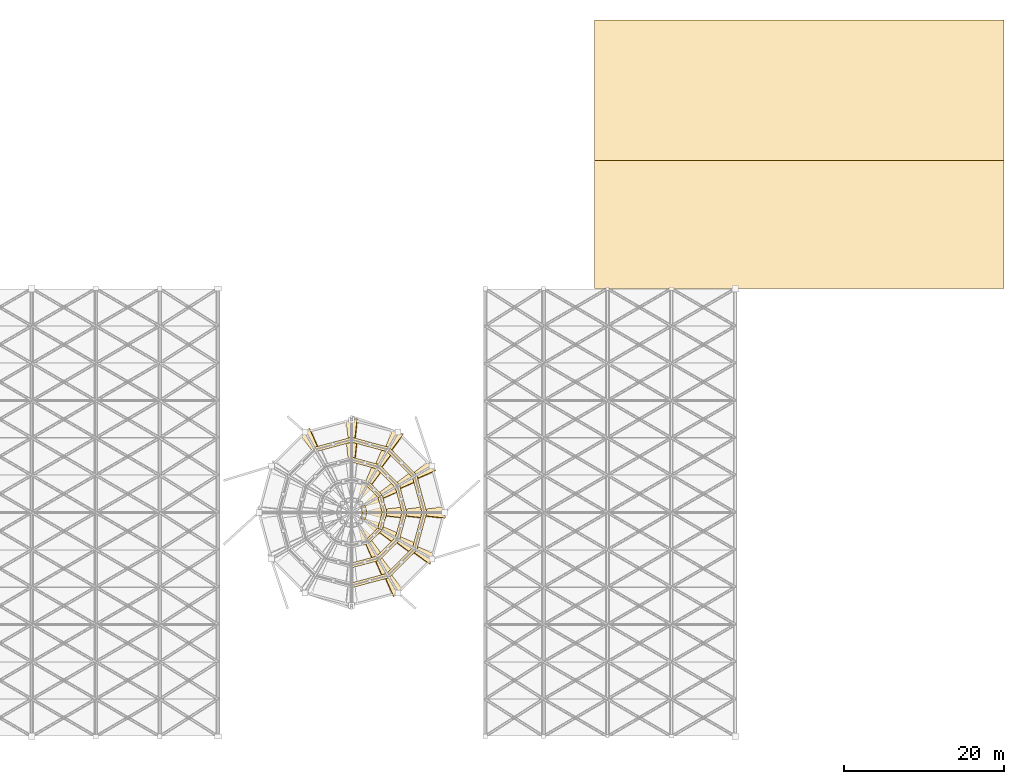
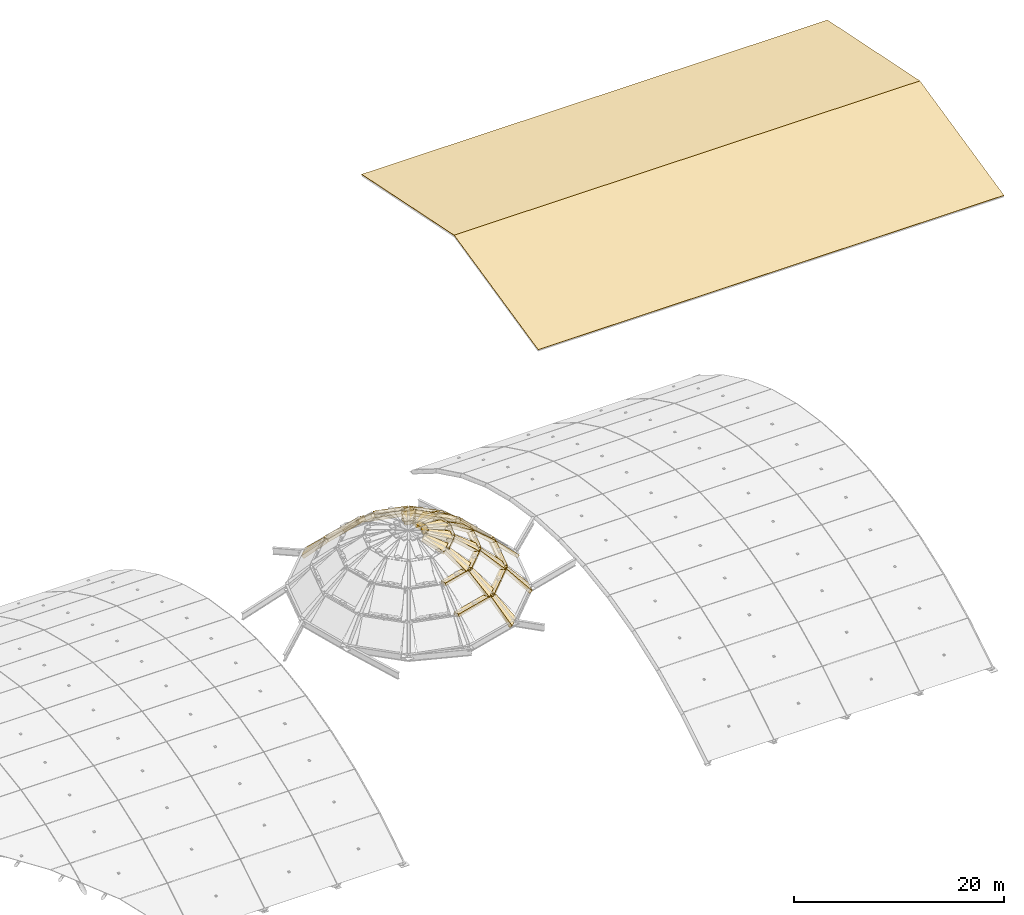
# One storey, part 21 of 21: 44 coverings.
"""IFC4 building model written with IfcOpenShell, lengths in metres."""

from ifc_helpers import new_model, si_unit, direction, frame, origin, place, context, subcontext, project, spatial, polyline, outline, extrude, material, layer, layer_set, type_object, element, save


model = new_model("IFC4")

# Units and contexts
model_context = context("Model", 3, precision=1e-05, world=origin(), true_north=direction((0.0, 1.0)))
body_context = subcontext(model_context, "Body", "Model", "MODEL_VIEW")
ifc_project = project(units=[si_unit("LENGTHUNIT", "METRE"), si_unit("AREAUNIT", "SQUARE_METRE"), si_unit("VOLUMEUNIT", "CUBIC_METRE"), si_unit("PLANEANGLEUNIT", "RADIAN"), si_unit("MASSUNIT", "GRAM", prefix="KILO")], contexts=[model_context])

# Site, building, storey
site_placement = place(None, origin())
site = spatial("IfcSite", under=ifc_project, at=site_placement, CompositionType="ELEMENT")
building_placement = place(site_placement, origin())
building = spatial("IfcBuilding", under=site, at=building_placement, Name="Solmirada Galleria", CompositionType="ELEMENT")
storey_placement = place(building_placement, frame((0.0, 0.0, 37.5)))
storey = spatial("IfcBuildingStorey", under=building, at=storey_placement, Name="RF", CompositionType="ELEMENT", Elevation=37.5)

# Coverings
ifc_material_1 = material(Name="Anodized architectural aluminium", Category="aluminium")
ifc_layer_1 = layer(ifc_material_1, 0.360107421875)
ifc_layer_set_1 = layer_set([ifc_layer_1], Name="Anodized architectural aluminium")
covering_type_1 = type_object("IfcCoveringType", Name="COV-ALUM-CAP", PredefinedType="CLADDING", material=ifc_layer_set_1)
covering_1_placement = place(storey_placement, frame((107.786376953125, 59.304443359375, 0.1201171875), z_axis=(0.693846324666, 0.185881907195, 0.69571919215), x_axis=(-0.258813752551, 0.965927243535, 4.1069357e-05)))
element("IfcCovering", 1, at=covering_1_placement, inside=storey, type_object=covering_type_1, Name="Atrium dome radial aluminium cap batten 1.1", PredefinedType="CLADDING", context=body_context, shape_type="SweptSolid", body=[
    extrude(outline(polyline([(0.0, 0.0), (1.4402006918480803, 0.0), (1.7857432908559425, 3.4625968961496447), (0.9456343071445519, 3.4627272721011586), (0.0, 0.0)])), origin(), (0.0, 0.0, -1.0), 0.360107421875),
])
covering_2_placement = place(storey_placement, frame((105.395751953125, 60.07763671875, 2.607421875), z_axis=(0.0, 0.0, 1.0), x_axis=(-0.965937155273, -0.258776761059, 0.0)))
element("IfcCovering", 2, at=covering_2_placement, inside=storey, type_object=covering_type_1, Name="Atrium dome ring aluminium cap batten 1.1", PredefinedType="CLADDING", context=body_context, shape_type="SweptSolid", body=[
    extrude(outline(polyline([(0.0, 0.0), (0.6000285221314199, 0.0), (0.6002385191805728, -4.713591182540906), (0.00020999704915292128, -4.713591182540906), (0.0, 0.0)])), origin(), (0.0, 0.0, -1.0), 0.360107421875),
])
covering_3_placement = place(storey_placement, frame((106.554931640625, 65.291015625, 0.1201171875), z_axis=(0.507938727928, 0.507938727928, 0.695698567874), x_axis=(-0.707106781187, 0.707106781187, 0.0)))
element("IfcCovering", 3, at=covering_3_placement, inside=storey, type_object=covering_type_1, Name="Atrium dome radial aluminium cap batten 2.1", PredefinedType="CLADDING", context=body_context, shape_type="SweptSolid", body=[
    extrude(outline(polyline([(0.0, 0.0), (1.4397633191151873, 0.0), (1.7853755690994324, 3.4626027012821696), (0.9453409994574059, 3.4626027012821696), (0.0, 0.0)])), origin(), (0.0, 0.0, -1.0), 0.360107421875),
])
covering_4_placement = place(storey_placement, frame((104.09814453125, 64.76513671875, 2.607421875), z_axis=(0.0, 0.0, 1.0), x_axis=(-0.707106781187, -0.707106781187, 0.0)))
element("IfcCovering", 4, at=covering_4_placement, inside=storey, type_object=covering_type_1, Name="Atrium dome ring aluminium cap batten 2.1", PredefinedType="CLADDING", context=body_context, shape_type="SweptSolid", body=[
    extrude(outline(polyline([(0.0, 0.0), (0.600074016456162, 0.0), (0.600074016456162, -4.713584851932982), (0.0, -4.713584851932982), (0.0, 0.0)])), origin(), (0.0, 0.0, -1.0), 0.360107421875),
])
covering_5_placement = place(storey_placement, frame((102.49560546875, 69.859619140625, 0.1201171875), z_axis=(0.185878060971, 0.69383196776, 0.695734537711), x_axis=(-0.965927243081, 0.258813754246, -4.1069414e-05)))
element("IfcCovering", 5, at=covering_5_placement, inside=storey, type_object=covering_type_1, Name="Atrium dome radial aluminium cap batten 3.1", PredefinedType="CLADDING", context=body_context, shape_type="SweptSolid", body=[
    extrude(outline(polyline([(0.0, 0.0), (1.4402006918481844, 0.0), (1.785585319171454, 3.462872738771062), (0.9454763354603316, 3.4627423599438307), (0.0, 0.0)])), origin(), (0.0, 0.0, -1.0), 0.360107421875),
])
covering_6_placement = place(storey_placement, frame((100.630615234375, 68.17578125, 2.607421875), z_axis=(0.0, 0.0, 1.0), x_axis=(-0.258776761059, -0.965937155273, 0.0)))
element("IfcCovering", 6, at=covering_6_placement, inside=storey, type_object=covering_type_1, Name="Atrium dome ring aluminium cap batten 3.1", PredefinedType="CLADDING", context=body_context, shape_type="SweptSolid", body=[
    extrude(outline(polyline([(0.0, 0.0), (0.6000285221314199, 0.0), (0.599818525082267, -4.713591182540906), (-0.00020999704915292128, -4.713591182540906), (0.0, 0.0)])), origin(), (0.0, 0.0, -1.0), 0.360107421875),
])
covering_7_placement = place(storey_placement, frame((96.695556640625, 71.786376953125, 0.1201171875), z_axis=(-0.185881907195, 0.693846324666, 0.69571919215), x_axis=(-0.965927243535, -0.258813752551, 4.1069357e-05)))
element("IfcCovering", 7, at=covering_7_placement, inside=storey, type_object=covering_type_1, Name="Atrium dome radial aluminium cap batten 4.1", PredefinedType="CLADDING", context=body_context, shape_type="SweptSolid", body=[
    extrude(outline(polyline([(0.0, 0.0), (1.4402006918480803, 0.0), (1.7857432908559425, 3.4625968961496447), (0.9456343071445519, 3.4627272721011586), (0.0, 0.0)])), origin(), (0.0, 0.0, -1.0), 0.360107421875),
])
covering_8_placement = place(storey_placement, frame((95.92236328125, 69.395751953125, 2.607421875), z_axis=(0.0, 0.0, 1.0), x_axis=(0.258776761059, -0.965937155273, 0.0)))
element("IfcCovering", 8, at=covering_8_placement, inside=storey, type_object=covering_type_1, Name="Atrium dome ring aluminium cap batten 4.1", PredefinedType="CLADDING", context=body_context, shape_type="SweptSolid", body=[
    extrude(outline(polyline([(0.0, 0.0), (0.6000285221314199, 0.0), (0.6002385191805728, -4.713591182540906), (0.00020999704915292128, -4.713591182540906), (0.0, 0.0)])), origin(), (0.0, 0.0, -1.0), 0.360107421875),
])
covering_9_placement = place(storey_placement, frame((90.708984375, 70.554931640625, 0.1201171875), z_axis=(-0.507938727928, 0.507938727928, 0.695698567874), x_axis=(-0.707106781187, -0.707106781187, 0.0)))
element("IfcCovering", 9, at=covering_9_placement, inside=storey, type_object=covering_type_1, Name="Atrium dome radial aluminium cap batten 5.1", PredefinedType="CLADDING", context=body_context, shape_type="SweptSolid", body=[
    extrude(outline(polyline([(0.0, 0.0), (1.4397633191151873, 0.0), (1.7853755690994324, 3.4626027012821696), (0.9453409994574059, 3.4626027012821696), (0.0, 0.0)])), origin(), (0.0, 0.0, -1.0), 0.360107421875),
])
covering_10_placement = place(storey_placement, frame((96.07763671875, 50.604248046875, 2.607421875), z_axis=(0.0, 0.0, 1.0), x_axis=(-0.258776761059, 0.965937155273, 0.0)))
element("IfcCovering", 10, at=covering_10_placement, inside=storey, type_object=covering_type_1, Name="Atrium dome ring aluminium cap batten 10.1", PredefinedType="CLADDING", context=body_context, shape_type="SweptSolid", body=[
    extrude(outline(polyline([(0.0, 0.0), (0.6000285221314199, 0.0), (0.6002385191805728, -4.713591182540906), (0.00020999704915292128, -4.713591182540906), (0.0, 0.0)])), origin(), (0.0, 0.0, -1.0), 0.360107421875),
])
covering_11_placement = place(storey_placement, frame((101.291015625, 49.445068359375, 0.1201171875), z_axis=(0.507938727928, -0.507938727928, 0.695698567874), x_axis=(0.707106781187, 0.707106781187, 0.0)))
element("IfcCovering", 11, at=covering_11_placement, inside=storey, type_object=covering_type_1, Name="Atrium dome radial aluminium cap batten 11.1", PredefinedType="CLADDING", context=body_context, shape_type="SweptSolid", body=[
    extrude(outline(polyline([(0.0, 0.0), (1.4397633191151873, 0.0), (1.7853755690994324, 3.4626027012821696), (0.9453409994574059, 3.4626027012821696), (0.0, 0.0)])), origin(), (0.0, 0.0, -1.0), 0.360107421875),
])
covering_12_placement = place(storey_placement, frame((100.76513671875, 51.90185546875, 2.607421875), z_axis=(0.0, 0.0, 1.0), x_axis=(-0.707106781187, 0.707106781187, 0.0)))
element("IfcCovering", 12, at=covering_12_placement, inside=storey, type_object=covering_type_1, Name="Atrium dome ring aluminium cap batten 11.1", PredefinedType="CLADDING", context=body_context, shape_type="SweptSolid", body=[
    extrude(outline(polyline([(0.0, 0.0), (0.600074016456162, 0.0), (0.600074016456162, -4.713584851932982), (0.0, -4.713584851932982), (0.0, 0.0)])), origin(), (0.0, 0.0, -1.0), 0.360107421875),
])
covering_13_placement = place(storey_placement, frame((105.859619140625, 53.50439453125, 0.1201171875), z_axis=(0.69383196776, -0.185878060971, 0.695734537711), x_axis=(0.258813754246, 0.965927243081, -4.1069414e-05)))
element("IfcCovering", 13, at=covering_13_placement, inside=storey, type_object=covering_type_1, Name="Atrium dome radial aluminium cap batten 12.1", PredefinedType="CLADDING", context=body_context, shape_type="SweptSolid", body=[
    extrude(outline(polyline([(0.0, 0.0), (1.4402006918481844, 0.0), (1.785585319171454, 3.462872738771062), (0.9454763354603316, 3.4627423599438307), (0.0, 0.0)])), origin(), (0.0, 0.0, -1.0), 0.360107421875),
])
covering_14_placement = place(storey_placement, frame((104.17578125, 55.369384765625, 2.607421875), z_axis=(0.0, 0.0, 1.0), x_axis=(-0.965937155273, 0.258776761059, 0.0)))
element("IfcCovering", 14, at=covering_14_placement, inside=storey, type_object=covering_type_1, Name="Atrium dome ring aluminium cap batten 12.1", PredefinedType="CLADDING", context=body_context, shape_type="SweptSolid", body=[
    extrude(outline(polyline([(0.0, 0.0), (0.6000285221314199, 0.0), (0.599818525082267, -4.713591182540906), (-0.00020999704915292128, -4.713591182540906), (0.0, 0.0)])), origin(), (0.0, 0.0, -1.0), 0.360107421875),
])
covering_15_placement = place(storey_placement, frame((105.292236328125, 59.304443359375, 2.607421875), z_axis=(0.636262565278, 0.170384655033, 0.752422100523), x_axis=(-0.258687382085, 0.96596109561, 1.0830728e-05)))
element("IfcCovering", 15, at=covering_15_placement, inside=storey, type_object=covering_type_1, Name="Atrium dome radial aluminium cap batten 1.2", PredefinedType="CLADDING", context=body_context, shape_type="SweptSolid", body=[
    extrude(outline(polyline([(0.0, 0.0), (1.4401375165647845, 5.551115123125783e-17), (1.785285650315392, 3.2016508725314816), (0.9451766532781901, 3.20168836673826), (0.0, 0.0)])), origin(), (0.0, 0.0, -1.0), 0.360107421875),
])
covering_16_placement = place(storey_placement, frame((102.90185546875, 60.07763671875, 4.71630859375), z_axis=(0.0, 0.0, 1.0), x_axis=(-0.965937155273, -0.258776761059, 0.0)))
element("IfcCovering", 16, at=covering_16_placement, inside=storey, type_object=covering_type_1, Name="Atrium dome ring aluminium cap batten 1.2", PredefinedType="CLADDING", context=body_context, shape_type="SweptSolid", body=[
    extrude(outline(polyline([(0.0, 0.0), (0.6000285221314199, 0.0), (0.6002802404486164, -3.422808062153928), (7.907173657795141e-05, -3.4225090597329486), (0.0, 0.0)])), origin(), (0.0, 0.0, -1.0), 0.360107421875),
])
covering_17_placement = place(storey_placement, frame((104.39501953125, 64.0439453125, 2.607421875), z_axis=(0.465767522202, 0.465767522202, 0.752410280714), x_axis=(-0.707106781187, 0.707106781187, 0.0)))
element("IfcCovering", 17, at=covering_17_placement, inside=storey, type_object=covering_type_1, Name="Atrium dome radial aluminium cap batten 2.2", PredefinedType="CLADDING", context=body_context, shape_type="SweptSolid", body=[
    extrude(outline(polyline([(0.0, 0.0), (1.4397633191151873, 0.0), (1.7853755690994324, 3.2016146006331314), (0.9453409994574059, 3.201614600633131), (0.0, 0.0)])), origin(), (0.0, 0.0, -1.0), 0.360107421875),
])
covering_18_placement = place(storey_placement, frame((101.938232421875, 63.51806640625, 4.71630859375), z_axis=(0.0, 0.0, 1.0), x_axis=(-0.707106781187, -0.707106781187, 0.0)))
element("IfcCovering", 18, at=covering_18_placement, inside=storey, type_object=covering_type_1, Name="Atrium dome ring aluminium cap batten 2.2", PredefinedType="CLADDING", context=body_context, shape_type="SweptSolid", body=[
    extrude(outline(polyline([(0.0, 0.0), (0.5997287494731607, 0.0), (0.5997287494731609, -3.4226316024913315), (0.0, -3.422631602491331), (0.0, 0.0)])), origin(), (0.0, 0.0, -1.0), 0.360107421875),
])
covering_19_placement = place(storey_placement, frame((101.24853515625, 67.69970703125, 2.607421875), z_axis=(0.170471906401, 0.636254475648, 0.752409178138), x_axis=(-0.965946374933, 0.258742338671, 5.4158027e-05)))
element("IfcCovering", 19, at=covering_19_placement, inside=storey, type_object=covering_type_1, Name="Atrium dome radial aluminium cap batten 3.2", PredefinedType="CLADDING", context=body_context, shape_type="SweptSolid", body=[
    extrude(outline(polyline([(0.0, 0.0), (1.4401375129832739, 0.0), (1.7858071455972102, 3.201461660718312), (0.9458708107198134, 3.2016491285329716), (0.0, 0.0)])), origin(), (0.0, 0.0, -1.0), 0.360107421875),
])
covering_20_placement = place(storey_placement, frame((99.383544921875, 66.01611328125, 4.71630859375), z_axis=(0.0, 0.0, 1.0), x_axis=(-0.258295527765, -0.966065950304, 0.0)))
element("IfcCovering", 20, at=covering_20_placement, inside=storey, type_object=covering_type_1, Name="Atrium dome ring aluminium cap batten 3.2", PredefinedType="CLADDING", context=body_context, shape_type="SweptSolid", body=[
    extrude(outline(polyline([(0.0, 0.0), (0.600201243189103, 0.0), (0.5982443836546933, -3.4228075120299715), (-0.0017840640210945446, -3.4225085956534897), (0.0, 0.0)])), origin(), (0.0, 0.0, -1.0), 0.360107421875),
])
covering_21_placement = place(storey_placement, frame((96.695556640625, 69.292236328125, 2.607421875), z_axis=(-0.170384655033, 0.636262565278, 0.752422100523), x_axis=(-0.96596109561, -0.258687382085, 1.0830728e-05)))
element("IfcCovering", 21, at=covering_21_placement, inside=storey, type_object=covering_type_1, Name="Atrium dome radial aluminium cap batten 4.2", PredefinedType="CLADDING", context=body_context, shape_type="SweptSolid", body=[
    extrude(outline(polyline([(0.0, 0.0), (1.4401375165647845, 5.551115123125783e-17), (1.785285650315392, 3.2016508725314816), (0.9451766532781901, 3.20168836673826), (0.0, 0.0)])), origin(), (0.0, 0.0, -1.0), 0.360107421875),
])
covering_22_placement = place(storey_placement, frame((96.07763671875, 53.09814453125, 4.71630859375), z_axis=(0.0, 0.0, 1.0), x_axis=(-0.258776761059, 0.965937155273, 0.0)))
element("IfcCovering", 22, at=covering_22_placement, inside=storey, type_object=covering_type_1, Name="Atrium dome ring aluminium cap batten 10.2", PredefinedType="CLADDING", context=body_context, shape_type="SweptSolid", body=[
    extrude(outline(polyline([(0.0, 0.0), (0.6000285221314199, 0.0), (0.6002802404486164, -3.422808062153928), (7.907173657795141e-05, -3.4225090597329486), (0.0, 0.0)])), origin(), (0.0, 0.0, -1.0), 0.360107421875),
])
covering_23_placement = place(storey_placement, frame((100.0439453125, 51.60498046875, 2.607421875), z_axis=(0.465767522202, -0.465767522202, 0.752410280714), x_axis=(0.707106781187, 0.707106781187, 0.0)))
element("IfcCovering", 23, at=covering_23_placement, inside=storey, type_object=covering_type_1, Name="Atrium dome radial aluminium cap batten 11.2", PredefinedType="CLADDING", context=body_context, shape_type="SweptSolid", body=[
    extrude(outline(polyline([(0.0, 0.0), (1.4397633191151873, 0.0), (1.7853755690994324, 3.2016146006331314), (0.9453409994574059, 3.201614600633131), (0.0, 0.0)])), origin(), (0.0, 0.0, -1.0), 0.360107421875),
])
covering_24_placement = place(storey_placement, frame((99.51806640625, 54.061767578125, 4.71630859375), z_axis=(0.0, 0.0, 1.0), x_axis=(-0.707106781187, 0.707106781187, 0.0)))
element("IfcCovering", 24, at=covering_24_placement, inside=storey, type_object=covering_type_1, Name="Atrium dome ring aluminium cap batten 11.2", PredefinedType="CLADDING", context=body_context, shape_type="SweptSolid", body=[
    extrude(outline(polyline([(0.0, 0.0), (0.5997287494731607, 0.0), (0.5997287494731609, -3.4226316024913315), (0.0, -3.422631602491331), (0.0, 0.0)])), origin(), (0.0, 0.0, -1.0), 0.360107421875),
])
covering_25_placement = place(storey_placement, frame((103.69970703125, 54.75146484375, 2.607421875), z_axis=(0.636254475648, -0.170471906401, 0.752409178138), x_axis=(0.258742338671, 0.965946374933, 5.4158027e-05)))
element("IfcCovering", 25, at=covering_25_placement, inside=storey, type_object=covering_type_1, Name="Atrium dome radial aluminium cap batten 12.2", PredefinedType="CLADDING", context=body_context, shape_type="SweptSolid", body=[
    extrude(outline(polyline([(0.0, 0.0), (1.4401375129832739, 0.0), (1.7858071455972102, 3.201461660718312), (0.9458708107198134, 3.2016491285329716), (0.0, 0.0)])), origin(), (0.0, 0.0, -1.0), 0.360107421875),
])
covering_26_placement = place(storey_placement, frame((102.01611328125, 56.616455078125, 4.71630859375), z_axis=(0.0, 0.0, 1.0), x_axis=(-0.966065950304, 0.258295527765, 0.0)))
element("IfcCovering", 26, at=covering_26_placement, inside=storey, type_object=covering_type_1, Name="Atrium dome ring aluminium cap batten 12.2", PredefinedType="CLADDING", context=body_context, shape_type="SweptSolid", body=[
    extrude(outline(polyline([(0.0, 0.0), (0.600201243189103, 0.0), (0.5982443836546933, -3.4228075120299715), (-0.0017840640210945446, -3.4225085956534897), (0.0, 0.0)])), origin(), (0.0, 0.0, -1.0), 0.360107421875),
])
covering_27_placement = place(storey_placement, frame((102.79833984375, 59.304443359375, 4.71630859375), z_axis=(0.487649416016, 0.130641613668, 0.863209601336), x_axis=(-0.258716621784, 0.965953264061, -3.5545965e-05)))
element("IfcCovering", 27, at=covering_27_placement, inside=storey, type_object=covering_type_1, Name="Atrium dome radial aluminium cap batten 1.3", PredefinedType="CLADDING", context=body_context, shape_type="SweptSolid", body=[
    extrude(outline(polyline([(0.0, 0.0), (1.4401375154929656, 1.1102230246251565e-16), (1.7853488099792796, 2.7909497952410787), (0.945176651837998, 2.79078923963639), (0.0, 0.0)])), origin(), (0.0, 0.0, -1.0), 0.360107421875),
])
covering_28_placement = place(storey_placement, frame((100.40771484375, 60.07763671875, 6.125244140625), z_axis=(0.0, 0.0, 1.0), x_axis=(-0.965937155273, -0.258776761059, 0.0)))
element("IfcCovering", 28, at=covering_28_placement, inside=storey, type_object=covering_type_1, Name="Atrium dome ring aluminium cap batten 1.3", PredefinedType="CLADDING", context=body_context, shape_type="SweptSolid", body=[
    extrude(outline(polyline([(0.0, 0.0), (0.6000285221314199, 0.0), (0.5999134906352425, -2.1316627614257904), (-0.00011503149617742014, -2.1316627614257904), (0.0, 0.0)])), origin(), (0.0, 0.0, -1.0), 0.360107421875),
])
covering_29_placement = place(storey_placement, frame((102.2353515625, 62.796875, 4.71630859375), z_axis=(0.356976040797, 0.356976040797, 0.863212727312), x_axis=(-0.707106781187, 0.707106781187, 0.0)))
element("IfcCovering", 29, at=covering_29_placement, inside=storey, type_object=covering_type_1, Name="Atrium dome radial aluminium cap batten 2.3", PredefinedType="CLADDING", context=body_context, shape_type="SweptSolid", body=[
    extrude(outline(polyline([(0.0, 0.0), (1.4401085860981884, 0.0), (1.785548202590933, 2.7908536304741203), (0.9455136329489066, 2.7908536304741203), (0.0, 0.0)])), origin(), (0.0, 0.0, -1.0), 0.360107421875),
])
covering_30_placement = place(storey_placement, frame((99.7783203125, 62.27099609375, 6.125244140625), z_axis=(0.0, 0.0, 1.0), x_axis=(-0.707106781187, -0.707106781187, 0.0)))
element("IfcCovering", 30, at=covering_30_placement, inside=storey, type_object=covering_type_1, Name="Atrium dome ring aluminium cap batten 2.3", PredefinedType="CLADDING", context=body_context, shape_type="SweptSolid", body=[
    extrude(outline(polyline([(0.0, 0.0), (0.5997287494731607, 0.0), (0.5997287494731607, -2.13167835304968), (0.0, -2.13167835304968), (0.0, 0.0)])), origin(), (0.0, 0.0, -1.0), 0.360107421875),
])
covering_31_placement = place(storey_placement, frame((100.00146484375, 65.539794921875, 4.71630859375), z_axis=(0.130715536613, 0.487615442616, 0.863217602121), x_axis=(-0.965902743855, 0.258905174166, 1.4288844e-05)))
element("IfcCovering", 31, at=covering_31_placement, inside=storey, type_object=covering_type_1, Name="Atrium dome radial aluminium cap batten 3.3", PredefinedType="CLADDING", context=body_context, shape_type="SweptSolid", body=[
    extrude(outline(polyline([(0.0, 0.0), (1.4399648761453387, 5.551115123125783e-17), (1.7853069655835179, 2.7908491803897415), (0.9453706062058715, 2.790913711069329), (0.0, 0.0)])), origin(), (0.0, 0.0, -1.0), 0.360107421875),
])
covering_32_placement = place(storey_placement, frame((98.796875, 53.7646484375, 4.71630859375), z_axis=(0.356976040797, -0.356976040797, 0.863212727312), x_axis=(0.707106781187, 0.707106781187, 0.0)))
element("IfcCovering", 32, at=covering_32_placement, inside=storey, type_object=covering_type_1, Name="Atrium dome radial aluminium cap batten 11.3", PredefinedType="CLADDING", context=body_context, shape_type="SweptSolid", body=[
    extrude(outline(polyline([(0.0, 0.0), (1.4401085860981884, 0.0), (1.785548202590933, 2.7908536304741203), (0.9455136329489066, 2.7908536304741203), (0.0, 0.0)])), origin(), (0.0, 0.0, -1.0), 0.360107421875),
])
covering_33_placement = place(storey_placement, frame((98.27099609375, 56.2216796875, 6.125244140625), z_axis=(0.0, 0.0, 1.0), x_axis=(-0.707106781187, 0.707106781187, 0.0)))
element("IfcCovering", 33, at=covering_33_placement, inside=storey, type_object=covering_type_1, Name="Atrium dome ring aluminium cap batten 11.3", PredefinedType="CLADDING", context=body_context, shape_type="SweptSolid", body=[
    extrude(outline(polyline([(0.0, 0.0), (0.5997287494731607, 0.0), (0.5997287494731607, -2.13167835304968), (0.0, -2.13167835304968), (0.0, 0.0)])), origin(), (0.0, 0.0, -1.0), 0.360107421875),
])
covering_34_placement = place(storey_placement, frame((101.539794921875, 55.99853515625, 4.71630859375), z_axis=(0.487615442616, -0.130715536613, 0.863217602121), x_axis=(0.258905174166, 0.965902743855, 1.4288844e-05)))
element("IfcCovering", 34, at=covering_34_placement, inside=storey, type_object=covering_type_1, Name="Atrium dome radial aluminium cap batten 12.3", PredefinedType="CLADDING", context=body_context, shape_type="SweptSolid", body=[
    extrude(outline(polyline([(0.0, 0.0), (1.4399648761453387, 5.551115123125783e-17), (1.7853069655835179, 2.7908491803897415), (0.9453706062058715, 2.790913711069329), (0.0, 0.0)])), origin(), (0.0, 0.0, -1.0), 0.360107421875),
])
covering_35_placement = place(storey_placement, frame((99.856201171875, 57.86328125, 6.125244140625), z_axis=(0.0, 0.0, 1.0), x_axis=(-0.965937155273, 0.258776761059, 0.0)))
element("IfcCovering", 35, at=covering_35_placement, inside=storey, type_object=covering_type_1, Name="Atrium dome ring aluminium cap batten 12.3", PredefinedType="CLADDING", context=body_context, shape_type="SweptSolid", body=[
    extrude(outline(polyline([(0.0, 0.0), (0.6000285221314199, 0.0), (0.6001435536275973, -2.1316627614257904), (0.00011503149617742014, -2.1316627614257904), (0.0, 0.0)])), origin(), (0.0, 0.0, -1.0), 0.360107421875),
])
covering_36_placement = place(storey_placement, frame((100.304443359375, 59.304443359375, 6.125244140625), z_axis=(0.194365436309, 0.052070633957, 0.979546183826), x_axis=(-0.25885149684, 0.965917130152, 1.6198119e-05)))
element("IfcCovering", 36, at=covering_36_placement, inside=storey, type_object=covering_type_1, Name="Atrium dome radial aluminium cap batten 1.4", PredefinedType="CLADDING", context=body_context, shape_type="SweptSolid", body=[
    extrude(outline(polyline([(0.0, 0.0), (1.4402006941605163, 5.551115123125783e-17), (1.7857432879886919, 2.4592258943678544), (0.9456343102510807, 2.459409458752744), (0.0, 0.0)])), origin(), (0.0, 0.0, -1.0), 0.360107421875),
])
covering_37_placement = place(storey_placement, frame((97.913818359375, 60.07763671875, 6.6201171875), z_axis=(0.0, 0.0, 1.0), x_axis=(-0.965937155273, -0.258776761059, 0.0)))
element("IfcCovering", 37, at=covering_37_placement, inside=storey, type_object=covering_type_1, Name="Atrium dome ring aluminium cap batten 1.4", PredefinedType="CLADDING", context=body_context, shape_type="SweptSolid", body=[
    extrude(outline(polyline([(0.0, 0.0), (0.6000285221314199, 0.0), (0.6000183898234664, -0.8406438165380135), (-1.0132307953464315e-05, -0.8406438165380136), (0.0, 0.0)])), origin(), (0.0, 0.0, -1.0), 0.360107421875),
])
covering_38_placement = place(storey_placement, frame((100.075439453125, 61.5498046875, 6.125244140625), z_axis=(0.142281709558, 0.142281709558, 0.979546747353), x_axis=(-0.707106781187, 0.707106781187, 0.0)))
element("IfcCovering", 38, at=covering_38_placement, inside=storey, type_object=covering_type_1, Name="Atrium dome radial aluminium cap batten 2.4", PredefinedType="CLADDING", context=body_context, shape_type="SweptSolid", body=[
    extrude(outline(polyline([(0.0, 0.0), (1.4401085860981884, 0.0), (1.785548202590933, 2.4594031682515918), (0.9455136329489066, 2.4594031682515913), (0.0, 0.0)])), origin(), (0.0, 0.0, -1.0), 0.360107421875),
])
covering_39_placement = place(storey_placement, frame((98.75439453125, 63.3798828125, 6.125244140625), z_axis=(0.052095330411, 0.194355655763, 0.979546811348), x_axis=(-0.965904854365, 0.258897300707, 9.98298e-07)))
element("IfcCovering", 39, at=covering_39_placement, inside=storey, type_object=covering_type_1, Name="Atrium dome radial aluminium cap batten 3.4", PredefinedType="CLADDING", context=body_context, shape_type="SweptSolid", body=[
    extrude(outline(polyline([(0.0, 0.0), (1.4399648763418673, -1.1102230246251565e-16), (1.7853069653398566, 2.4593981186110363), (0.9451347898421062, 2.4594094310852865), (0.0, 0.0)])), origin(), (0.0, 0.0, -1.0), 0.360107421875),
])
covering_40_placement = place(storey_placement, frame((97.5498046875, 55.924560546875, 6.125244140625), z_axis=(0.142281709558, -0.142281709558, 0.979546747353), x_axis=(0.707106781187, 0.707106781187, 0.0)))
element("IfcCovering", 40, at=covering_40_placement, inside=storey, type_object=covering_type_1, Name="Atrium dome radial aluminium cap batten 11.4", PredefinedType="CLADDING", context=body_context, shape_type="SweptSolid", body=[
    extrude(outline(polyline([(0.0, 0.0), (1.4401085860981884, 0.0), (1.785548202590933, 2.4594031682515918), (0.9455136329489066, 2.4594031682515913), (0.0, 0.0)])), origin(), (0.0, 0.0, -1.0), 0.360107421875),
])
covering_41_placement = place(storey_placement, frame((99.3798828125, 57.24560546875, 6.125244140625), z_axis=(0.194355655763, -0.052095330411, 0.979546811348), x_axis=(0.258897300707, 0.965904854365, 9.98298e-07)))
element("IfcCovering", 41, at=covering_41_placement, inside=storey, type_object=covering_type_1, Name="Atrium dome radial aluminium cap batten 12.4", PredefinedType="CLADDING", context=body_context, shape_type="SweptSolid", body=[
    extrude(outline(polyline([(0.0, 0.0), (1.4399648763418673, -1.1102230246251565e-16), (1.7853069653398566, 2.4593981186110363), (0.9451347898421062, 2.4594094310852865), (0.0, 0.0)])), origin(), (0.0, 0.0, -1.0), 0.360107421875),
])
covering_42_placement = place(storey_placement, frame((97.6962890625, 59.1103515625, 6.6201171875), z_axis=(0.0, 0.0, 1.0), x_axis=(-0.965937155273, 0.258776761059, 0.0)))
element("IfcCovering", 42, at=covering_42_placement, inside=storey, type_object=covering_type_1, Name="Atrium dome ring aluminium cap batten 12.4", PredefinedType="CLADDING", context=body_context, shape_type="SweptSolid", body=[
    extrude(outline(polyline([(0.0, 0.0), (0.6000285221314199, 0.0), (0.6000386544393733, -0.8406438165380136), (1.0132307953464315e-05, -0.8406438165380136), (0.0, 0.0)])), origin(), (0.0, 0.0, -1.0), 0.360107421875),
])
ifc_material_2 = material(Name="Insulated TPO and standing-seam roofing membrane")
ifc_layer_2 = layer(ifc_material_2, 0.06005859375)
ifc_layer_set_2 = layer_set([ifc_layer_2], Name="Insulated TPO and standing-seam roofing membrane")
covering_type_2 = type_object("IfcCoveringType", Name="COV-ROOF-MEM", PredefinedType="ROOFING", material=ifc_layer_set_2)
covering_43_placement = place(storey_placement, frame((126.39990234375, 88.0, 0.06005859375), z_axis=(0.0, -0.219503693515, 0.97561166892), x_axis=(1.0, 0.0, 0.0)))
element("IfcCovering", 43, at=covering_43_placement, inside=storey, type_object=covering_type_2, Name="Standing-seam roof covering ROOF-NE-SOUTH", PredefinedType="ROOFING", context=body_context, shape_type="SweptSolid", body=[
    extrude(outline(polyline([(0.0, 0.0), (51.2001953125, 0.0), (51.2001953125, 16.399967845515967), (0.0, 16.399967845515967), (0.0, 0.0)])), origin(), (0.0, 0.0, -1.0), 0.06005859375),
])
covering_44_placement = place(storey_placement, frame((126.39990234375, 104.0, 3.659912109375), z_axis=(0.0, 0.200387342214, 0.979716751454), x_axis=(1.0, 0.0, 0.0)))
element("IfcCovering", 44, at=covering_44_placement, inside=storey, type_object=covering_type_2, Name="Standing-seam roof covering ROOF-NE-NORTH", PredefinedType="ROOFING", context=body_context, shape_type="SweptSolid", body=[
    extrude(outline(polyline([(0.0, 0.0), (51.2001953125, 0.0), (51.2001953125, 17.964475579417684), (0.0, 17.964475579417684), (0.0, 0.0)])), origin(), (0.0, 0.0, -1.0), 0.06005859375),
])

save(model, "model.ifc")
